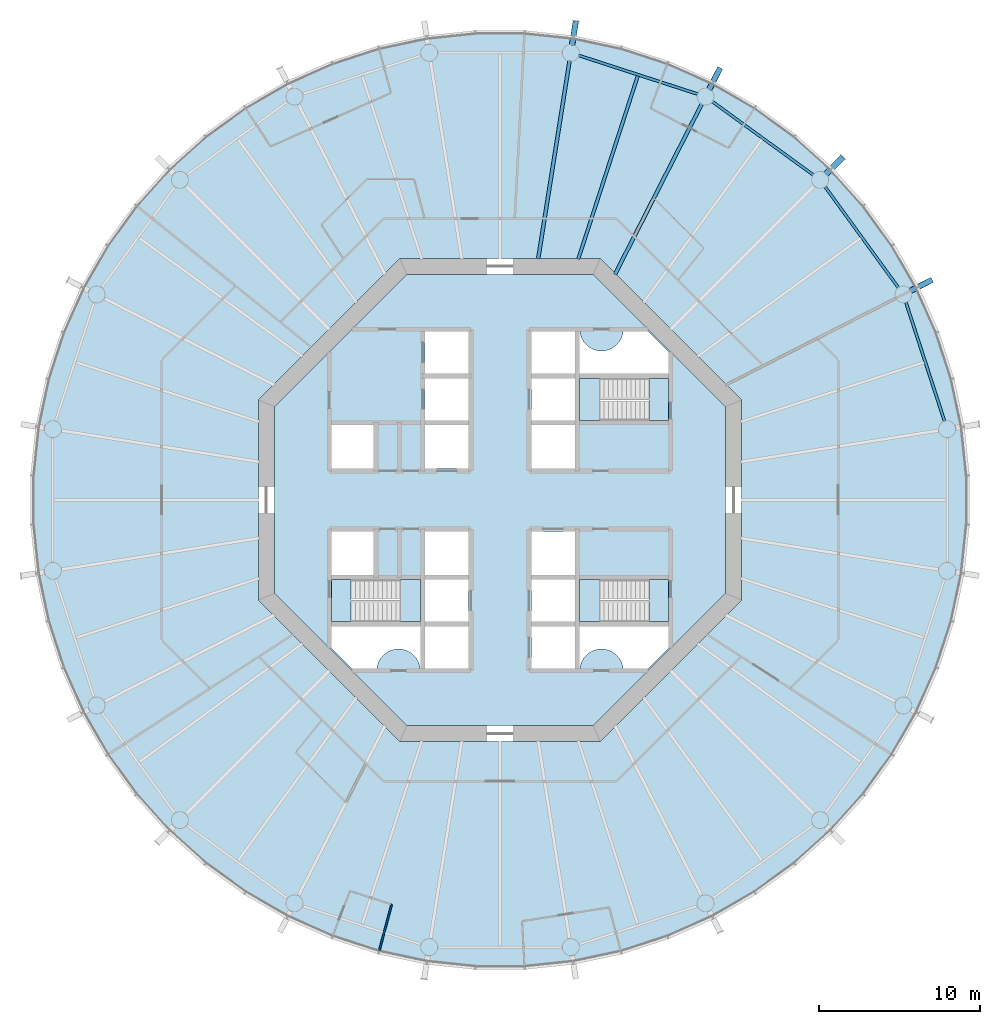
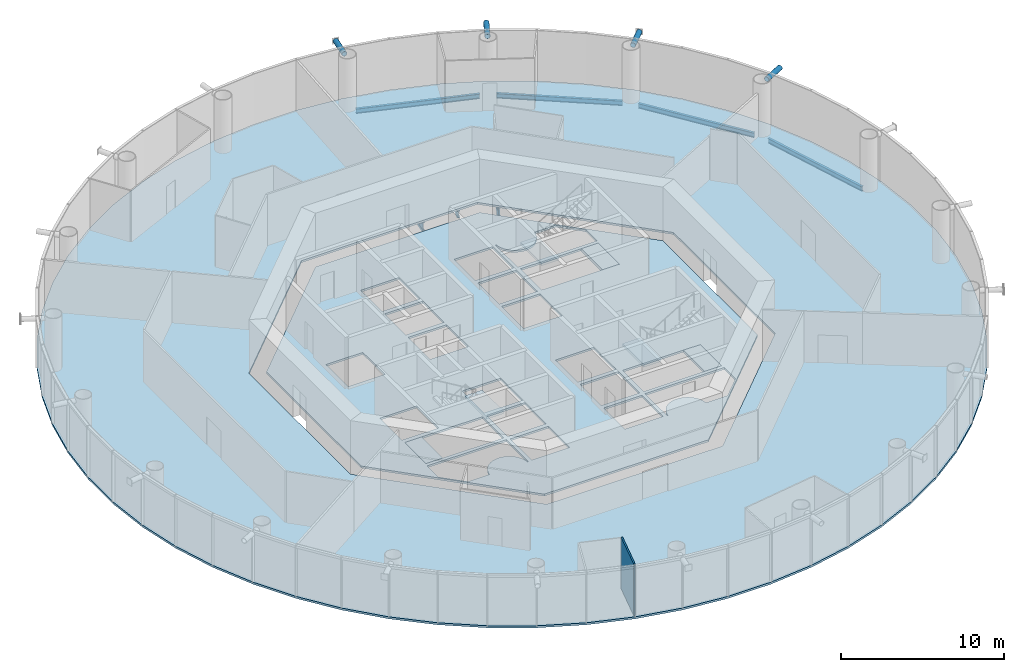
# One storey, part 2 of 17: 8 slabs, 7 beams, 4 members, 1 wall, 3 elements without a shape of their own.
"""IFC4 building model written with IfcOpenShell, lengths in metres."""

from ifc_helpers import new_model, si_unit, direction, frame, frame_2d, origin, origin_2d, place, context, subcontext, project, spatial, polyline, rectangle, circle, hollow_circle, i_section, outline, extrude, material, layer, layer_set, material_profile, profile_set, type_object, element, aggregate, save


model = new_model("IFC4")

# Units and contexts
model_context = context("Model", 3, precision=1e-05, world=origin(), true_north=direction((0.0, 1.0)))
body_context = subcontext(model_context, "Body", "Model", "MODEL_VIEW")
ifc_project = project(units=[si_unit("LENGTHUNIT", "METRE"), si_unit("AREAUNIT", "SQUARE_METRE"), si_unit("VOLUMEUNIT", "CUBIC_METRE"), si_unit("PLANEANGLEUNIT", "RADIAN"), si_unit("MASSUNIT", "GRAM", prefix="KILO")], contexts=[model_context])

# Site, building, storey
site_placement = place(None, origin())
site = spatial("IfcSite", under=ifc_project, at=site_placement, CompositionType="ELEMENT")
building_placement = place(site_placement, origin())
building = spatial("IfcBuilding", under=site, at=building_placement, Name="Entoto Ring Tower", CompositionType="ELEMENT")
storey_placement = place(building_placement, frame((0.0, 0.0, 160.0)))
storey = spatial("IfcBuildingStorey", under=building, at=storey_placement, Name="L36", CompositionType="ELEMENT", Elevation=160.0)

# Members
ifc_material_1 = material(Name="Steel S355", Category="steel")
ifc_material_profile_1 = material_profile(ifc_material_1, hollow_circle(Radius=0.177734375, WallThickness=0.01611328125, at=origin_2d()), Name="CHS 355.6 x 16")
ifc_material_2 = material(Name="Concrete C60/75", Category="concrete")
ifc_material_profile_2 = material_profile(ifc_material_2, circle(Radius=0.161865234375, at=origin_2d()), Name="Concrete C60/75 infill")
ifc_profile_set_1 = profile_set([ifc_material_profile_1, ifc_material_profile_2], Name="Steel S355")
member_type = type_object("IfcMemberType", Name="Diagrid node strut 355.6 x 16", PredefinedType="STRUT", material=ifc_profile_set_1)
for number, where, z_axis, x_axis, name in (
    (1, (115.483154296875, 92.984375, 3.672119140625), (0.891048193901, 0.453908709044, 0.0), (-0.453908709044, 0.891048193901, 0.0), "DS1 strut ring 11 01"),
    (2, (110.2236328125, 100.2236328125, 3.672119140625), (0.707106781187, 0.707106781187, 0.0), (-0.707106781187, 0.707106781187, 0.0), "DS1 strut ring 11 02"),
    (3, (102.984375, 105.483154296875, 3.672119140625), (0.453908709044, 0.891048193901, 0.0), (-0.891048193901, 0.453908709044, 0.0), "DS1 strut ring 11 03"),
):
    element("IfcMember", number, at=place(storey_placement, frame(where, z_axis=z_axis, x_axis=x_axis)), inside=storey, type_object=member_type, Name=name, PredefinedType="STRUT", context=body_context, shape_type="SweptSolid", body=[
        extrude(hollow_circle(Radius=0.177734375, WallThickness=0.01611328125, at=origin_2d()), origin(), (0.0, 0.0, 1.0), 1.49951171875),
    ])
member_placement = place(storey_placement, frame((94.47412109375, 108.248291015625, 3.672119140625), z_axis=(0.15644742422, 0.987686287976, 0.0), x_axis=(-0.987686287976, 0.15644742422, 0.0)))
element("IfcMember", 4, at=member_placement, inside=storey, type_object=member_type, Name="DS1 strut ring 11 04", PredefinedType="STRUT", context=body_context, shape_type="SweptSolid", body=[
    extrude(hollow_circle(Radius=0.177734375, WallThickness=0.01611328125, at=origin_2d()), origin(), (0.0, 0.0, 1.0), 1.499755859375),
])

# Beams
ifc_material_3 = material(Name="Steel S355", Category="steel")
ifc_material_profile_3 = material_profile(ifc_material_3, i_section(OverallWidth=0.169921875, OverallDepth=0.360107421875, WebThickness=0.008056640625, FlangeThickness=0.0126953125, FilletRadius=0.01806640625, at=origin_2d()), Name="IPE 360")
ifc_profile_set_2 = profile_set([ifc_material_profile_3], Name="Steel S355")
beam_type_1 = type_object("IfcBeamType", Name="Edge beam IPE 360", PredefinedType="SPANDREL", material=ifc_profile_set_2)
for number, where, z_axis, x_axis, name in (
    (5, (117.59228515625, 84.8935546875, -0.330078125), (-0.309012656105, 0.951057925874, 0.0), (-0.951057925874, -0.309012656105, 0.0), "Edge beam L36 01"),
    (6, (114.729736328125, 93.180419921875, -0.330078125), (-0.587791153253, 0.809012707043, 0.0), (-0.809012707043, -0.587791153253, 0.0), "Edge beam L36 02"),
    (7, (109.4462890625, 100.17724609375, -0.330078125), (-0.809012707043, 0.587791153253, 0.0), (-0.587791153253, -0.809012707043, 0.0), "Edge beam L36 03"),
    (8, (102.259521484375, 105.198974609375, -0.330078125), (-0.951057925874, 0.309012656105, 0.0), (-0.309012656105, -0.951057925874, 0.0), "Edge beam L36 04"),
):
    element("IfcBeam", number, at=place(storey_placement, frame(where, z_axis=z_axis, x_axis=x_axis)), inside=storey, type_object=beam_type_1, Name=name, PredefinedType="SPANDREL", context=body_context, shape_type="SweptSolid", body=[
        extrude(i_section(OverallWidth=0.169921875, OverallDepth=0.360107421875, WebThickness=0.008056640625, FlangeThickness=0.0126953125, FilletRadius=0.01806640625, at=origin_2d()), origin(), (0.0, 0.0, 1.0), 7.7451171875),
    ])
ifc_material_4 = material(Name="Steel S355", Category="steel")
ifc_material_profile_4 = material_profile(ifc_material_4, i_section(OverallWidth=0.219970703125, OverallDepth=0.60009765625, WebThickness=0.011962890625, FlangeThickness=0.01904296875, FilletRadius=0.02392578125, at=origin_2d()), Name="IPE 600")
ifc_profile_set_3 = profile_set([ifc_material_profile_4], Name="Steel S355")
beam_type_2 = type_object("IfcBeamType", Name="Primary floor beam IPE 600", PredefinedType="BEAM", material=ifc_profile_set_3)
beam_1_placement = place(storey_placement, frame((97.135009765625, 94.003173828125, -0.449951171875), z_axis=(0.453982805399, 0.891010444609, 0.0), x_axis=(-0.891010444609, 0.453982805399, 0.0)))
element("IfcBeam", 9, at=beam_1_placement, inside=storey, type_object=beam_type_2, Name="Primary L36 R04", PredefinedType="BEAM", context=body_context, shape_type="SweptSolid", body=[
    extrude(i_section(OverallWidth=0.219970703125, OverallDepth=0.60009765625, WebThickness=0.011962890625, FlangeThickness=0.01904296875, FilletRadius=0.02392578125, at=origin_2d()), origin(), (0.0, 0.0, 1.0), 11.864990234375),
])
beam_2_placement = place(storey_placement, frame((92.369873046875, 94.963134765625, -0.449951171875), z_axis=(0.156441579247, 0.987687213789, 0.0), x_axis=(-0.987687213789, 0.156441579247, 0.0)))
element("IfcBeam", 10, at=beam_2_placement, inside=storey, type_object=beam_type_2, Name="Primary L36 R05", PredefinedType="BEAM", context=body_context, shape_type="SweptSolid", body=[
    extrude(i_section(OverallWidth=0.219970703125, OverallDepth=0.60009765625, WebThickness=0.011962890625, FlangeThickness=0.01904296875, FilletRadius=0.02392578125, at=origin_2d()), origin(), (0.0, 0.0, 1.0), 12.431640625),
])
ifc_material_5 = material(Name="Steel S355", Category="steel")
ifc_material_profile_5 = material_profile(ifc_material_5, i_section(OverallWidth=0.199951171875, OverallDepth=0.5, WebThickness=0.01025390625, FlangeThickness=0.01611328125, FilletRadius=0.02099609375, at=origin_2d()), Name="IPE 500")
ifc_profile_set_4 = profile_set([ifc_material_profile_5], Name="Steel S355")
beam_type_3 = type_object("IfcBeamType", Name="Secondary floor beam IPE 500", PredefinedType="JOIST", material=ifc_profile_set_4)
beam_3_placement = place(storey_placement, frame((94.857666015625, 94.9501953125, -0.39990234375), z_axis=(0.30901677521, 0.951056587506, 0.0), x_axis=(-0.951056587506, 0.30901677521, 0.0)))
element("IfcBeam", 11, at=beam_3_placement, inside=storey, type_object=beam_type_3, Name="Secondary beam L36 04", PredefinedType="JOIST", context=body_context, shape_type="SweptSolid", body=[
    extrude(i_section(OverallWidth=0.199951171875, OverallDepth=0.5, WebThickness=0.01025390625, FlangeThickness=0.01611328125, FilletRadius=0.02099609375, at=origin_2d()), origin(), (0.0, 0.0, 1.0), 11.94970703125),
])

# Slabs
ifc_material_6 = material(Name="Concrete C30/37", Category="concrete")
ifc_layer_1 = layer(ifc_material_6, 0.14990234375)
ifc_layer_set_1 = layer_set([ifc_layer_1], Name="Concrete C30/37")
slab_type_1 = type_object("IfcSlabType", Name="Composite floor slab 150 mm", PredefinedType="FLOOR", material=ifc_layer_set_1)
slab_1_placement = place(storey_placement, frame((0.0, 0.0, -0.14990234375)))
element("IfcSlab", 12, at=slab_1_placement, inside=storey, type_object=slab_type_1, Name="Floor slab L36", PredefinedType="FLOOR", context=body_context, shape_type="SweptSolid", body=[
    extrude(outline(polyline([(118.74169921875, 84.55224609375), (118.1083984375, 87.53173828125), (117.167236328125, 90.428466796875), (115.92822265625, 93.211181640625), (114.4052734375, 95.848876953125), (112.614990234375, 98.313232421875), (110.576904296875, 100.576904296875), (108.313232421875, 102.614990234375), (105.848876953125, 104.4052734375), (103.211181640625, 105.92822265625), (100.428466796875, 107.167236328125), (97.53173828125, 108.1083984375), (94.55224609375, 108.74169921875), (91.52294921875, 109.06005859375), (88.47705078125, 109.06005859375), (85.44775390625, 108.74169921875), (82.46826171875, 108.1083984375), (79.571533203125, 107.167236328125), (76.788818359375, 105.92822265625), (74.151123046875, 104.4052734375), (71.686767578125, 102.614990234375), (69.423095703125, 100.576904296875), (67.385009765625, 98.313232421875), (65.5947265625, 95.848876953125), (64.07177734375, 93.211181640625), (62.832763671875, 90.428466796875), (61.8916015625, 87.53173828125), (61.25830078125, 84.55224609375), (60.93994140625, 81.52294921875), (60.93994140625, 78.47705078125), (61.25830078125, 75.44775390625), (61.8916015625, 72.46826171875), (62.832763671875, 69.571533203125), (64.07177734375, 66.788818359375), (65.5947265625, 64.151123046875), (67.385009765625, 61.686767578125), (69.423095703125, 59.423095703125), (71.686767578125, 57.385009765625), (74.151123046875, 55.5947265625), (76.788818359375, 54.07177734375), (79.571533203125, 52.832763671875), (82.46826171875, 51.8916015625), (85.44775390625, 51.25830078125), (88.47705078125, 50.93994140625), (91.52294921875, 50.93994140625), (94.55224609375, 51.25830078125), (97.53173828125, 51.8916015625), (100.428466796875, 52.832763671875), (103.211181640625, 54.07177734375), (105.848876953125, 55.5947265625), (108.313232421875, 57.385009765625), (110.576904296875, 59.423095703125), (112.614990234375, 61.686767578125), (114.4052734375, 64.151123046875), (115.92822265625, 66.788818359375), (117.167236328125, 69.571533203125), (118.1083984375, 72.46826171875), (118.74169921875, 75.44775390625), (119.06005859375, 78.47705078125), (119.06005859375, 81.52294921875), (118.74169921875, 84.55224609375)]), holes=[polyline([(105.0, 73.786865234375), (105.0, 86.213134765625), (96.213134765625, 95.0), (83.786865234375, 95.0), (75.0, 86.213134765625), (75.0, 73.786865234375), (83.786865234375, 65.0), (96.213134765625, 65.0), (105.0, 73.786865234375)])]), origin(), (0.0, 0.0, 1.0), 0.14990234375),
])
ifc_material_7 = material(Name="Concrete C40/50", Category="concrete")
ifc_layer_2 = layer(ifc_material_7, 0.14990234375)
ifc_layer_set_2 = layer_set([ifc_layer_2], Name="Concrete C40/50")
slab_type_2 = type_object("IfcSlabType", Name="Core floor slab 150 mm reinforced concrete C40/50", PredefinedType="FLOOR", material=ifc_layer_set_2)
slab_2_placement = place(storey_placement, frame((0.0, 0.0, -0.14990234375)))
element("IfcSlab", 13, at=slab_2_placement, inside=storey, type_object=slab_type_2, Name="Core floor L36", PredefinedType="FLOOR", context=body_context, shape_type="SweptSolid", body=[
    extrude(outline(polyline([(104.0, 74.200927734375), (104.0, 85.799072265625), (95.799072265625, 94.0), (84.200927734375, 94.0), (76.0, 85.799072265625), (76.0, 74.200927734375), (84.200927734375, 66.0), (95.799072265625, 66.0), (104.0, 74.200927734375)]), holes=[polyline([(100.449951171875, 84.949951171875), (100.449951171875, 87.550048828125), (94.949951171875, 87.550048828125), (94.949951171875, 84.949951171875), (100.449951171875, 84.949951171875)]), polyline([(85.050048828125, 72.449951171875), (85.050048828125, 75.050048828125), (79.550048828125, 75.050048828125), (79.550048828125, 72.449951171875), (85.050048828125, 72.449951171875)]), polyline([(100.449951171875, 72.449951171875), (100.449951171875, 75.050048828125), (94.949951171875, 75.050048828125), (94.949951171875, 72.449951171875), (100.449951171875, 72.449951171875)]), polyline([(91.949951171875, 84.949951171875), (94.64990234375, 84.949951171875), (94.64990234375, 87.550048828125), (91.949951171875, 87.550048828125), (91.949951171875, 84.949951171875)]), polyline([(91.949951171875, 72.449951171875), (94.64990234375, 72.449951171875), (94.64990234375, 75.050048828125), (91.949951171875, 75.050048828125), (91.949951171875, 72.449951171875)]), polyline([(91.949951171875, 69.550048828125), (94.64990234375, 69.550048828125), (94.64990234375, 72.14990234375), (91.949951171875, 72.14990234375), (91.949951171875, 69.550048828125)]), polyline([(85.35009765625, 72.449951171875), (88.050048828125, 72.449951171875), (88.050048828125, 75.050048828125), (85.35009765625, 75.050048828125), (85.35009765625, 72.449951171875)]), polyline([(85.35009765625, 81.949951171875), (88.050048828125, 81.949951171875), (88.050048828125, 84.64990234375), (85.35009765625, 84.64990234375), (85.35009765625, 81.949951171875)]), polyline([(91.949951171875, 75.35009765625), (94.64990234375, 75.35009765625), (94.64990234375, 78.050048828125), (91.949951171875, 78.050048828125), (91.949951171875, 75.35009765625)]), polyline([(79.550048828125, 81.949951171875), (82.14990234375, 81.949951171875), (82.14990234375, 84.64990234375), (79.550048828125, 84.64990234375), (79.550048828125, 81.949951171875)]), polyline([(79.550048828125, 75.35009765625), (82.14990234375, 75.35009765625), (82.14990234375, 78.050048828125), (79.550048828125, 78.050048828125), (79.550048828125, 75.35009765625)]), polyline([(91.949951171875, 87.85009765625), (94.64990234375, 87.85009765625), (94.64990234375, 90.449951171875), (91.949951171875, 90.449951171875), (91.949951171875, 87.85009765625)]), polyline([(85.35009765625, 69.550048828125), (88.050048828125, 69.550048828125), (88.050048828125, 72.14990234375), (85.35009765625, 72.14990234375), (85.35009765625, 69.550048828125)]), polyline([(91.949951171875, 81.949951171875), (94.64990234375, 81.949951171875), (94.64990234375, 84.64990234375), (91.949951171875, 84.64990234375), (91.949951171875, 81.949951171875)]), polyline([(85.35009765625, 75.35009765625), (88.050048828125, 75.35009765625), (88.050048828125, 78.050048828125), (85.35009765625, 78.050048828125), (85.35009765625, 75.35009765625)]), polyline([(85.35009765625, 84.949951171875), (88.050048828125, 84.949951171875), (88.050048828125, 87.550048828125), (85.35009765625, 87.550048828125), (85.35009765625, 84.949951171875)]), polyline([(85.35009765625, 87.85009765625), (88.050048828125, 87.85009765625), (88.050048828125, 90.449951171875), (85.35009765625, 90.449951171875), (85.35009765625, 87.85009765625)]), polyline([(94.89990234375, 90.5), (94.89990234375, 87.800048828125), (100.5, 87.800048828125), (100.5, 89.15771484375), (99.15771484375, 90.5), (97.64501953125, 90.5), (97.6435546875, 90.4677734375), (97.6240234375, 90.336669921875), (97.591796875, 90.2080078125), (97.547119140625, 90.08349609375), (97.490478515625, 89.963623046875), (97.422607421875, 89.85009765625), (97.343505859375, 89.74365234375), (97.254638671875, 89.6455078125), (97.156494140625, 89.556396484375), (97.050048828125, 89.4775390625), (96.936279296875, 89.409423828125), (96.816650390625, 89.352783203125), (96.69189453125, 89.30810546875), (96.5634765625, 89.27587890625), (96.432373046875, 89.256591796875), (96.300048828125, 89.25), (96.167724609375, 89.256591796875), (96.03662109375, 89.27587890625), (95.908203125, 89.30810546875), (95.783447265625, 89.352783203125), (95.66357421875, 89.409423828125), (95.550048828125, 89.4775390625), (95.443603515625, 89.556396484375), (95.345458984375, 89.6455078125), (95.25634765625, 89.74365234375), (95.177490234375, 89.85009765625), (95.109375, 89.963623046875), (95.052734375, 90.08349609375), (95.008056640625, 90.2080078125), (94.975830078125, 90.336669921875), (94.95654296875, 90.4677734375), (94.954833984375, 90.5), (94.89990234375, 90.5)]), polyline([(79.5, 70.84228515625), (80.84228515625, 69.5), (82.35498046875, 69.5), (82.3564453125, 69.5322265625), (82.3759765625, 69.663330078125), (82.408203125, 69.7919921875), (82.452880859375, 69.91650390625), (82.509521484375, 70.036376953125), (82.577392578125, 70.14990234375), (82.656494140625, 70.25634765625), (82.745361328125, 70.3544921875), (82.843505859375, 70.443603515625), (82.949951171875, 70.5224609375), (83.063720703125, 70.590576171875), (83.183349609375, 70.647216796875), (83.30810546875, 70.69189453125), (83.4365234375, 70.72412109375), (83.567626953125, 70.743408203125), (83.699951171875, 70.75), (83.832275390625, 70.743408203125), (83.96337890625, 70.72412109375), (84.091796875, 70.69189453125), (84.216552734375, 70.647216796875), (84.33642578125, 70.590576171875), (84.449951171875, 70.5224609375), (84.556396484375, 70.443603515625), (84.654541015625, 70.3544921875), (84.74365234375, 70.25634765625), (84.822509765625, 70.14990234375), (84.890625, 70.036376953125), (84.947265625, 69.91650390625), (84.991943359375, 69.7919921875), (85.024169921875, 69.663330078125), (85.04345703125, 69.5322265625), (85.045166015625, 69.5), (85.10009765625, 69.5), (85.10009765625, 72.199951171875), (79.5, 72.199951171875), (79.5, 70.84228515625)]), polyline([(97.64501953125, 69.5), (99.15771484375, 69.5), (100.5, 70.84228515625), (100.5, 72.199951171875), (94.89990234375, 72.199951171875), (94.89990234375, 69.5), (94.954833984375, 69.5), (94.95654296875, 69.5322265625), (94.975830078125, 69.663330078125), (95.008056640625, 69.7919921875), (95.052734375, 69.91650390625), (95.109375, 70.036376953125), (95.177490234375, 70.14990234375), (95.25634765625, 70.25634765625), (95.345458984375, 70.3544921875), (95.443603515625, 70.443603515625), (95.550048828125, 70.5224609375), (95.66357421875, 70.590576171875), (95.783447265625, 70.647216796875), (95.908203125, 70.69189453125), (96.03662109375, 70.72412109375), (96.167724609375, 70.743408203125), (96.300048828125, 70.75), (96.432373046875, 70.743408203125), (96.5634765625, 70.72412109375), (96.69189453125, 70.69189453125), (96.816650390625, 70.647216796875), (96.936279296875, 70.590576171875), (97.050048828125, 70.5224609375), (97.156494140625, 70.443603515625), (97.254638671875, 70.3544921875), (97.343505859375, 70.25634765625), (97.422607421875, 70.14990234375), (97.490478515625, 70.036376953125), (97.547119140625, 69.91650390625), (97.591796875, 69.7919921875), (97.6240234375, 69.663330078125), (97.6435546875, 69.5322265625), (97.64501953125, 69.5)])]), origin(), (0.0, 0.0, 1.0), 0.14990234375),
])

# Stair, slabs
ifc_material_8 = material(Name="Concrete C40/50", Category="concrete")
stair_type = type_object("IfcStairType", Name="Exit stair 1200 mm dog-leg reinforced concrete", PredefinedType="HALF_TURN_STAIR", material=ifc_material_8)
stair_1_placement = place(storey_placement, origin())
stair_1 = element("IfcStair", 14, at=stair_1_placement, inside=storey, type_object=stair_type, Name="Exit stair 1", PredefinedType="HALF_TURN_STAIR")
ifc_material_9 = material(Name="Concrete C40/50", Category="concrete")
ifc_layer_3 = layer(ifc_material_9, 0.199951171875)
ifc_layer_set_3 = layer_set([ifc_layer_3], Name="Concrete C40/50")
slab_type_3 = type_object("IfcSlabType", Name="Stair landing 200 mm reinforced concrete", PredefinedType="LANDING", material=ifc_layer_set_3)
slab_3_placement = place(storey_placement, frame((0.0, 0.0, -0.199951171875)))
slab_3 = element("IfcSlab", 15, at=slab_3_placement, type_object=slab_type_3, Name="ST1 landing 1", PredefinedType="LANDING", context=body_context, shape_type="SweptSolid", body=[
    extrude(outline(polyline([(100.449951171875, 84.949951171875), (100.449951171875, 87.550048828125), (99.25, 87.550048828125), (99.25, 84.949951171875), (100.449951171875, 84.949951171875)])), origin(), (0.0, 0.0, 1.0), 0.199951171875),
])
slab_4_placement = place(storey_placement, frame((0.0, 0.0, 1.800048828125)))
slab_4 = element("IfcSlab", 16, at=slab_4_placement, type_object=slab_type_3, Name="ST1 landing 2", PredefinedType="LANDING", context=body_context, shape_type="SweptSolid", body=[
    extrude(outline(polyline([(94.949951171875, 84.949951171875), (96.169921875, 84.949951171875), (96.169921875, 87.550048828125), (94.949951171875, 87.550048828125), (94.949951171875, 84.949951171875)])), origin(), (0.0, 0.0, 1.0), 0.199951171875),
])
aggregate(stair_1, [slab_3, slab_4])

stair_2_placement = place(storey_placement, origin())
stair_2 = element("IfcStair", 17, at=stair_2_placement, inside=storey, type_object=stair_type, Name="Exit stair 2", PredefinedType="HALF_TURN_STAIR")
slab_5_placement = place(storey_placement, frame((0.0, 0.0, -0.199951171875)))
slab_5 = element("IfcSlab", 18, at=slab_5_placement, type_object=slab_type_3, Name="ST2 landing 1", PredefinedType="LANDING", context=body_context, shape_type="SweptSolid", body=[
    extrude(outline(polyline([(80.75, 72.449951171875), (80.75, 75.050048828125), (79.550048828125, 75.050048828125), (79.550048828125, 72.449951171875), (80.75, 72.449951171875)])), origin(), (0.0, 0.0, 1.0), 0.199951171875),
])
slab_6_placement = place(storey_placement, frame((0.0, 0.0, 1.800048828125)))
slab_6 = element("IfcSlab", 19, at=slab_6_placement, type_object=slab_type_3, Name="ST2 landing 2", PredefinedType="LANDING", context=body_context, shape_type="SweptSolid", body=[
    extrude(outline(polyline([(83.830078125, 72.449951171875), (85.050048828125, 72.449951171875), (85.050048828125, 75.050048828125), (83.830078125, 75.050048828125), (83.830078125, 72.449951171875)])), origin(), (0.0, 0.0, 1.0), 0.199951171875),
])
aggregate(stair_2, [slab_5, slab_6])

stair_3_placement = place(storey_placement, origin())
stair_3 = element("IfcStair", 20, at=stair_3_placement, inside=storey, type_object=stair_type, Name="Exit stair 3", PredefinedType="HALF_TURN_STAIR")
slab_7_placement = place(storey_placement, frame((0.0, 0.0, -0.199951171875)))
slab_7 = element("IfcSlab", 21, at=slab_7_placement, type_object=slab_type_3, Name="ST3 landing 1", PredefinedType="LANDING", context=body_context, shape_type="SweptSolid", body=[
    extrude(outline(polyline([(100.449951171875, 72.449951171875), (100.449951171875, 75.050048828125), (99.25, 75.050048828125), (99.25, 72.449951171875), (100.449951171875, 72.449951171875)])), origin(), (0.0, 0.0, 1.0), 0.199951171875),
])
slab_8_placement = place(storey_placement, frame((0.0, 0.0, 1.800048828125)))
slab_8 = element("IfcSlab", 22, at=slab_8_placement, type_object=slab_type_3, Name="ST3 landing 2", PredefinedType="LANDING", context=body_context, shape_type="SweptSolid", body=[
    extrude(outline(polyline([(94.949951171875, 72.449951171875), (96.169921875, 72.449951171875), (96.169921875, 75.050048828125), (94.949951171875, 75.050048828125), (94.949951171875, 72.449951171875)])), origin(), (0.0, 0.0, 1.0), 0.199951171875),
])
aggregate(stair_3, [slab_7, slab_8])

# Wall
ifc_material_10 = material(Name="Plasterboard on steel studs", Category="steel")
ifc_layer_4 = layer(ifc_material_10, 0.10009765625)
ifc_layer_set_4 = layer_set([ifc_layer_4], Name="Plasterboard on steel studs")
wall_type = type_object("IfcWallType", Name="Partition 100 mm plasterboard on steel studs", PredefinedType="PARTITIONING", material=ifc_layer_set_4)
wall_placement = place(storey_placement, frame((82.509765625, 52.046142578125, 0.0), z_axis=(0.0, 0.0, 1.0), x_axis=(0.258800896618, 0.965930688978, 0.0)))
element("IfcWall", 23, at=wall_placement, inside=storey, type_object=wall_type, Name="partition-L36-029", PredefinedType="PARTITIONING", context=body_context, shape_type="SweptSolid", body=[
    extrude(rectangle(XDim=2.949951171875, YDim=0.10009765625, at=frame_2d((1.47509765625, 0.0))), origin(), (0.0, 0.0, 1.0), 3.85009765625),
])

save(model, "model.ifc")
